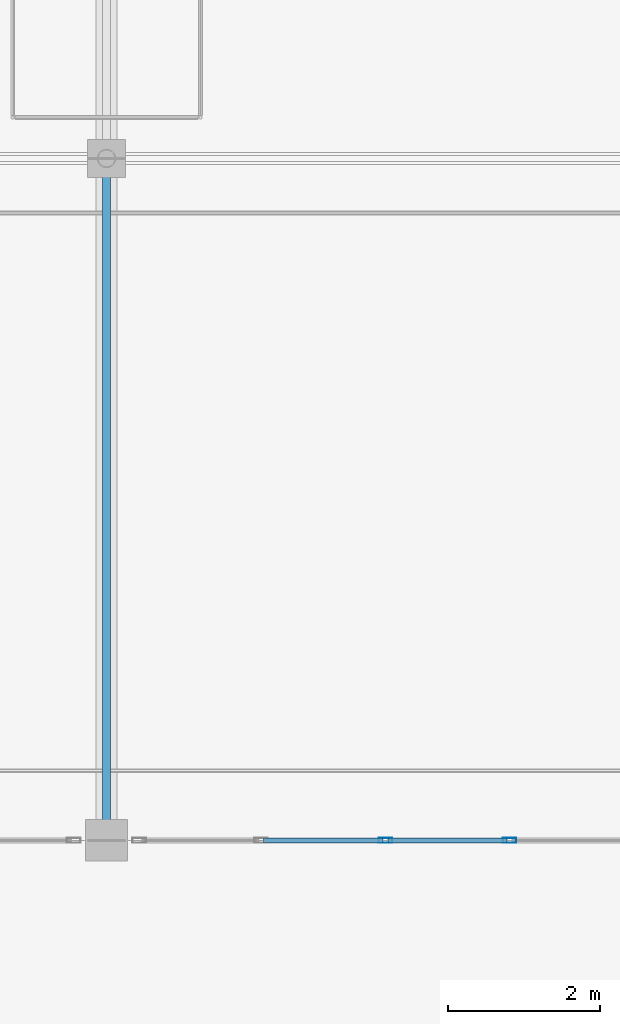
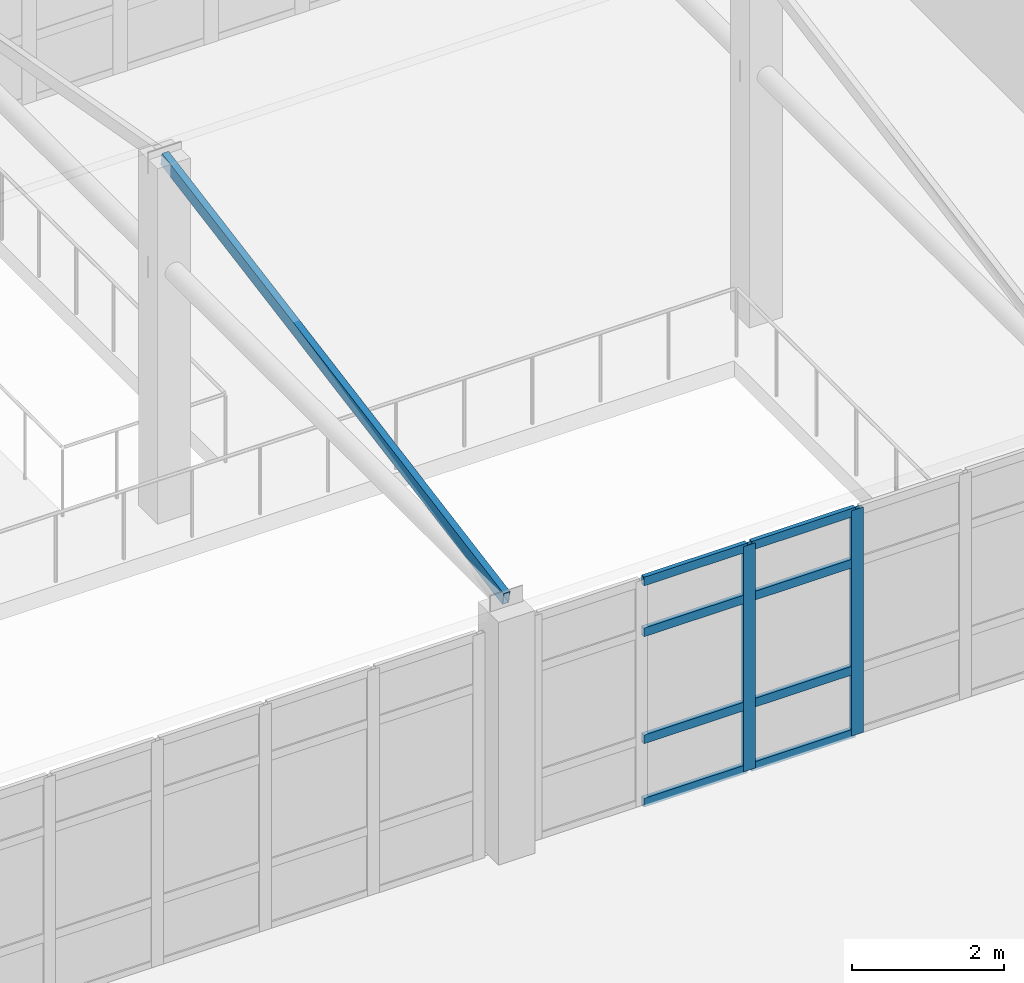
# One storey, part 60 of 156: 11 members, 1 element without a shape of its own.
"""IFC4 building model written with IfcOpenShell, lengths in metres."""

from ifc_helpers import new_model, si_unit, direction, frame, origin, origin_2d, place, context, subcontext, project, spatial, hollow_rectangle, extrude, material, layer, layer_set, material_profile, profile_set, type_object, element, aggregate, save


model = new_model("IFC4")

# Units and contexts
model_context = context("Model", 3, precision=1e-05, world=origin(), true_north=direction((0.0, 1.0)))
body_context = subcontext(model_context, "Body", "Model", "MODEL_VIEW")
ifc_project = project(units=[si_unit("LENGTHUNIT", "METRE"), si_unit("AREAUNIT", "SQUARE_METRE"), si_unit("VOLUMEUNIT", "CUBIC_METRE"), si_unit("PLANEANGLEUNIT", "RADIAN"), si_unit("MASSUNIT", "GRAM", prefix="KILO")], contexts=[model_context])

# Site, building, storey
site_placement = place(None, origin())
site = spatial("IfcSite", under=ifc_project, at=site_placement, CompositionType="ELEMENT")
building_placement = place(site_placement, origin())
building = spatial("IfcBuilding", under=site, at=building_placement, Name="Ornek Quay Market", CompositionType="ELEMENT")
storey_placement = place(building_placement, frame((0.0, 0.0, 4.5)))
storey = spatial("IfcBuildingStorey", under=building, at=storey_placement, Name="L01", CompositionType="ELEMENT", Elevation=4.5)

# Curtain wall, members
ifc_material_1 = material(Name="Anodised bronze aluminium and triple low-e glass", Category="aluminium")
ifc_layer = layer(ifc_material_1, 0.139892578125, Name="Anodised bronze aluminium and triple low-e glass", Category="aluminium")
ifc_layer_set = layer_set([ifc_layer], Name="Anodised bronze aluminium and triple low-e glass")
curtain_wall_type = type_object("IfcCurtainWallType", Name="CW-GALLERY-INT", PredefinedType="USERDEFINED", material=ifc_layer_set)
curtain_wall_placement = place(storey_placement, origin())
curtain_wall = element("IfcCurtainWall", 1, at=curtain_wall_placement, inside=storey, type_object=curtain_wall_type, Name="Curtain wall CW-130", ObjectType="CURTAIN WALL", PredefinedType="USERDEFINED")
ifc_material_2 = material(Name="Anodised aluminium 6063-T6", Category="aluminium")
ifc_material_profile_1 = material_profile(ifc_material_2, hollow_rectangle(XDim=0.06494140625, YDim=0.179931640625, WallThickness=0.00439453125, at=origin_2d()), Name="CW-MUL-65x180", Category="aluminium")
ifc_profile_set_1 = profile_set([ifc_material_profile_1], Name="Anodised aluminium 6063-T6")
member_type_1 = type_object("IfcMemberType", Name="CW-MUL-65x180", PredefinedType="MULLION", material=ifc_profile_set_1)
member_1_placement = place(storey_placement, frame((93.679931640625, 92.0, 0.0), z_axis=(0.0, 0.0, 1.0), x_axis=(0.0, 1.0, 0.0)))
member_1 = element("IfcMember", 2, at=member_1_placement, type_object=member_type_1, Name="CW-130 mullion 3", PredefinedType="MULLION", context=body_context, shape_type="SweptSolid", body=[
    extrude(hollow_rectangle(XDim=0.06494140625, YDim=0.179931640625, WallThickness=0.00439453125, at=origin_2d()), origin(), (0.0, 0.0, 1.0), 3.6201171875),
])
member_2_placement = place(storey_placement, frame((95.320068359375, 92.0, 0.0), z_axis=(0.0, 0.0, 1.0), x_axis=(0.0, 1.0, 0.0)))
member_2 = element("IfcMember", 3, at=member_2_placement, type_object=member_type_1, Name="CW-130 mullion 4", PredefinedType="MULLION", context=body_context, shape_type="SweptSolid", body=[
    extrude(hollow_rectangle(XDim=0.06494140625, YDim=0.179931640625, WallThickness=0.00439453125, at=origin_2d()), origin(), (0.0, 0.0, 1.0), 3.6201171875),
])
ifc_material_profile_2 = material_profile(ifc_material_2, hollow_rectangle(XDim=0.06494140625, YDim=0.139892578125, WallThickness=0.00439453125, at=origin_2d()), Name="CW-TRN-65x140", Category="aluminium")
ifc_profile_set_2 = profile_set([ifc_material_profile_2], Name="Anodised aluminium 6063-T6")
member_type_2 = type_object("IfcMemberType", Name="CW-TRN-65x140", PredefinedType="USERDEFINED", material=ifc_profile_set_2)
member_3_placement = place(storey_placement, frame((92.072509765625, 92.0, 0.032470703125), z_axis=(1.0, 0.0, 0.0), x_axis=(0.0, 1.0, 0.0)))
member_3 = element("IfcMember", 4, at=member_3_placement, type_object=member_type_2, Name="CW-130 transom 2.1", ObjectType="TRANSOM", PredefinedType="USERDEFINED", context=body_context, shape_type="SweptSolid", body=[
    extrude(hollow_rectangle(XDim=0.06494140625, YDim=0.139892578125, WallThickness=0.00439453125, at=origin_2d()), origin(), (0.0, 0.0, 1.0), 1.574951171875),
])
member_4_placement = place(storey_placement, frame((92.072509765625, 92.0, 1.050048828125), z_axis=(1.0, 0.0, 0.0), x_axis=(0.0, 1.0, 0.0)))
member_4 = element("IfcMember", 5, at=member_4_placement, type_object=member_type_2, Name="CW-130 transom 2.2", ObjectType="TRANSOM", PredefinedType="USERDEFINED", context=body_context, shape_type="SweptSolid", body=[
    extrude(hollow_rectangle(XDim=0.06494140625, YDim=0.139892578125, WallThickness=0.00439453125, at=origin_2d()), origin(), (0.0, 0.0, 1.0), 1.574951171875),
])
member_5_placement = place(storey_placement, frame((92.072509765625, 92.0, 2.77001953125), z_axis=(1.0, 0.0, 0.0), x_axis=(0.0, 1.0, 0.0)))
member_5 = element("IfcMember", 6, at=member_5_placement, type_object=member_type_2, Name="CW-130 transom 2.3", ObjectType="TRANSOM", PredefinedType="USERDEFINED", context=body_context, shape_type="SweptSolid", body=[
    extrude(hollow_rectangle(XDim=0.06494140625, YDim=0.139892578125, WallThickness=0.00439453125, at=origin_2d()), origin(), (0.0, 0.0, 1.0), 1.574951171875),
])
member_6_placement = place(storey_placement, frame((92.072509765625, 92.0, 3.58740234375), z_axis=(1.0, 0.0, 0.0), x_axis=(0.0, 1.0, 0.0)))
member_6 = element("IfcMember", 7, at=member_6_placement, type_object=member_type_2, Name="CW-130 transom 2.4", ObjectType="TRANSOM", PredefinedType="USERDEFINED", context=body_context, shape_type="SweptSolid", body=[
    extrude(hollow_rectangle(XDim=0.06494140625, YDim=0.139892578125, WallThickness=0.00439453125, at=origin_2d()), origin(), (0.0, 0.0, 1.0), 1.574951171875),
])
member_7_placement = place(storey_placement, frame((93.71240234375, 92.0, 0.032470703125), z_axis=(1.0, 0.0, 0.0), x_axis=(0.0, 1.0, 0.0)))
member_7 = element("IfcMember", 8, at=member_7_placement, type_object=member_type_2, Name="CW-130 transom 3.1", ObjectType="TRANSOM", PredefinedType="USERDEFINED", context=body_context, shape_type="SweptSolid", body=[
    extrude(hollow_rectangle(XDim=0.06494140625, YDim=0.139892578125, WallThickness=0.00439453125, at=origin_2d()), origin(), (0.0, 0.0, 1.0), 1.5751953125),
])
member_8_placement = place(storey_placement, frame((93.71240234375, 92.0, 1.050048828125), z_axis=(1.0, 0.0, 0.0), x_axis=(0.0, 1.0, 0.0)))
member_8 = element("IfcMember", 9, at=member_8_placement, type_object=member_type_2, Name="CW-130 transom 3.2", ObjectType="TRANSOM", PredefinedType="USERDEFINED", context=body_context, shape_type="SweptSolid", body=[
    extrude(hollow_rectangle(XDim=0.06494140625, YDim=0.139892578125, WallThickness=0.00439453125, at=origin_2d()), origin(), (0.0, 0.0, 1.0), 1.5751953125),
])
member_9_placement = place(storey_placement, frame((93.71240234375, 92.0, 2.77001953125), z_axis=(1.0, 0.0, 0.0), x_axis=(0.0, 1.0, 0.0)))
member_9 = element("IfcMember", 10, at=member_9_placement, type_object=member_type_2, Name="CW-130 transom 3.3", ObjectType="TRANSOM", PredefinedType="USERDEFINED", context=body_context, shape_type="SweptSolid", body=[
    extrude(hollow_rectangle(XDim=0.06494140625, YDim=0.139892578125, WallThickness=0.00439453125, at=origin_2d()), origin(), (0.0, 0.0, 1.0), 1.5751953125),
])
member_10_placement = place(storey_placement, frame((93.71240234375, 92.0, 3.58740234375), z_axis=(1.0, 0.0, 0.0), x_axis=(0.0, 1.0, 0.0)))
member_10 = element("IfcMember", 11, at=member_10_placement, type_object=member_type_2, Name="CW-130 transom 3.4", ObjectType="TRANSOM", PredefinedType="USERDEFINED", context=body_context, shape_type="SweptSolid", body=[
    extrude(hollow_rectangle(XDim=0.06494140625, YDim=0.139892578125, WallThickness=0.00439453125, at=origin_2d()), origin(), (0.0, 0.0, 1.0), 1.5751953125),
])
aggregate(curtain_wall, [member_1, member_2, member_3, member_4, member_5, member_6, member_7, member_8, member_9, member_10])

# Member
ifc_material_3 = material(Name="Steel S355", Category="steel")
ifc_material_profile_3 = material_profile(ifc_material_3, hollow_rectangle(XDim=0.10009765625, YDim=0.199951171875, WallThickness=0.008056640625, at=origin_2d()), Name="MBR-RAF-100x200", Category="steel")
ifc_profile_set_3 = profile_set([ifc_material_profile_3], Name="Steel S355")
member_type_3 = type_object("IfcMemberType", Name="MBR-RAF-100x200", PredefinedType="RAFTER", material=ifc_profile_set_3)
member_11_placement = place(storey_placement, frame((90.0, 92.0, 4.030029296875), z_axis=(0.0, 0.984185744367, 0.177139551158), x_axis=(-1.0, 0.0, 0.0)))
element("IfcMember", 12, at=member_11_placement, inside=storey, type_object=member_type_3, Name="Concourse skylight rafter C-90-S", PredefinedType="RAFTER", context=body_context, shape_type="SweptSolid", body=[
    extrude(hollow_rectangle(XDim=0.10009765625, YDim=0.199951171875, WallThickness=0.008056640625, at=origin_2d()), origin(), (0.0, 0.0, 1.0), 9.14453125),
])

save(model, "model.ifc")
